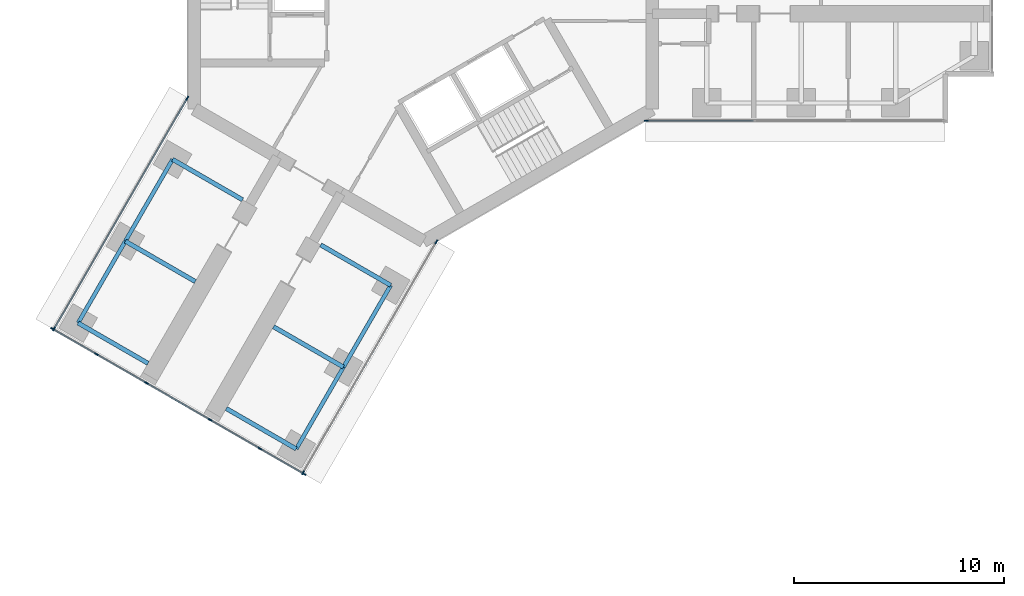
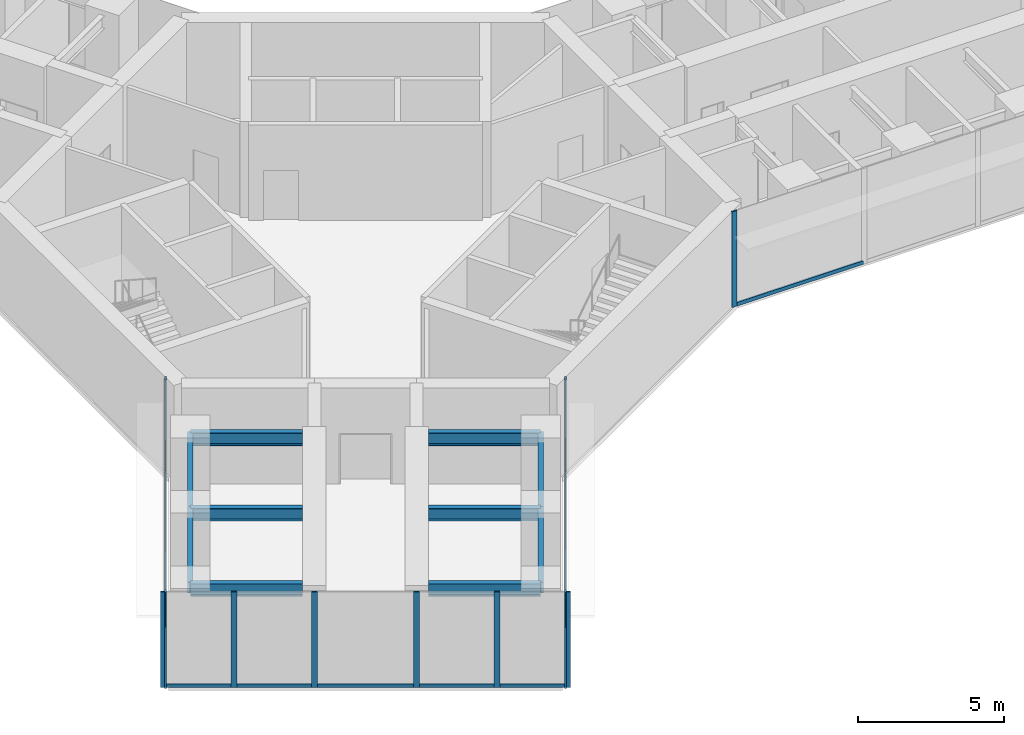
# One storey, part 2 of 21: 19 members, 10 beams, 4 elements without a shape of their own.
"""IFC4 building model written with IfcOpenShell, lengths in metres."""

from ifc_helpers import new_model, si_unit, direction, frame, origin, origin_2d, place, context, subcontext, project, spatial, rectangle, i_section, extrude, material, material_profile, profile_set, type_object, element, aggregate, save


model = new_model("IFC4")

# Units and contexts
model_context = context("Model", 3, precision=1e-05, world=origin(), true_north=direction((0.0, 1.0)))
body_context = subcontext(model_context, "Body", "Model", "MODEL_VIEW")
ifc_project = project(units=[si_unit("LENGTHUNIT", "METRE"), si_unit("AREAUNIT", "SQUARE_METRE"), si_unit("VOLUMEUNIT", "CUBIC_METRE"), si_unit("PLANEANGLEUNIT", "RADIAN"), si_unit("MASSUNIT", "GRAM", prefix="KILO")], contexts=[model_context])

# Site, building, storey
site_placement = place(None, origin())
site = spatial("IfcSite", under=ifc_project, at=site_placement, CompositionType="ELEMENT")
building_placement = place(site_placement, origin())
building = spatial("IfcBuilding", under=site, at=building_placement, Name="Upepo Twin Towers", CompositionType="ELEMENT")
storey_placement = place(building_placement, frame((0.0, 0.0, 113.5)))
storey = spatial("IfcBuildingStorey", under=building, at=storey_placement, Name="L27", CompositionType="ELEMENT", Elevation=113.5)

# Beams
ifc_material_1 = material(Name="Steel S355", Category="steel")
ifc_material_profile_1 = material_profile(ifc_material_1, i_section(OverallWidth=0.1904296875, OverallDepth=0.45703125, WebThickness=0.009033203125, FlangeThickness=0.014404296875, FilletRadius=0.01025390625, at=origin_2d()), Name="UB 457x191x74")
ifc_profile_set_1 = profile_set([ifc_material_profile_1], Name="Steel S355")
beam_type_1 = type_object("IfcBeamType", Name="Beam UB 457x191x74", PredefinedType="BEAM", material=ifc_profile_set_1)
beam_1_placement = place(storey_placement, frame((-1.553955078125, -14.69140625, 3.571533203125), z_axis=(-0.500013631625, -0.866017533419, 0.0), x_axis=(0.866017533419, -0.500013631625, 0.0)))
element("IfcBeam", 1, at=beam_1_placement, inside=storey, type_object=beam_type_1, Name="T1 edge beam CL 13.5-18.0", PredefinedType="BEAM", context=body_context, shape_type="SweptSolid", body=[
    extrude(i_section(OverallWidth=0.1904296875, OverallDepth=0.45703125, WebThickness=0.009033203125, FlangeThickness=0.014404296875, FilletRadius=0.01025390625, at=origin_2d()), origin(), (0.0, 0.0, 1.0), 4.499755859375),
])
beam_2_placement = place(storey_placement, frame((-3.803955078125, -18.58837890625, 3.571533203125), z_axis=(-0.499990139034, -0.866031096941, 0.0), x_axis=(0.866031096941, -0.499990139034, 0.0)))
element("IfcBeam", 2, at=beam_2_placement, inside=storey, type_object=beam_type_1, Name="T1 edge beam CL 18.0-22.5", PredefinedType="BEAM", context=body_context, shape_type="SweptSolid", body=[
    extrude(i_section(OverallWidth=0.1904296875, OverallDepth=0.45703125, WebThickness=0.009033203125, FlangeThickness=0.014404296875, FilletRadius=0.01025390625, at=origin_2d()), origin(), (0.0, 0.0, 1.0), 4.5),
])
beam_3_placement = place(storey_placement, frame((-11.946044921875, -8.69140625, 3.571533203125), z_axis=(-0.500013631625, -0.866017533419, 0.0), x_axis=(0.866017533419, -0.500013631625, 0.0)))
element("IfcBeam", 3, at=beam_3_placement, inside=storey, type_object=beam_type_1, Name="T1 edge beam CR 13.5-18.0", PredefinedType="BEAM", context=body_context, shape_type="SweptSolid", body=[
    extrude(i_section(OverallWidth=0.1904296875, OverallDepth=0.45703125, WebThickness=0.009033203125, FlangeThickness=0.014404296875, FilletRadius=0.01025390625, at=origin_2d()), origin(), (0.0, 0.0, 1.0), 4.499755859375),
])
beam_4_placement = place(storey_placement, frame((-14.196044921875, -12.58837890625, 3.571533203125), z_axis=(-0.499990139034, -0.866031096941, 0.0), x_axis=(0.866031096941, -0.499990139034, 0.0)))
element("IfcBeam", 4, at=beam_4_placement, inside=storey, type_object=beam_type_1, Name="T1 edge beam CR 18.0-22.5", PredefinedType="BEAM", context=body_context, shape_type="SweptSolid", body=[
    extrude(i_section(OverallWidth=0.1904296875, OverallDepth=0.45703125, WebThickness=0.009033203125, FlangeThickness=0.014404296875, FilletRadius=0.01025390625, at=origin_2d()), origin(), (0.0, 0.0, 1.0), 4.5),
])
ifc_material_2 = material(Name="Steel S355", Category="steel")
ifc_material_profile_2 = material_profile(ifc_material_2, i_section(OverallWidth=0.209228515625, OverallDepth=0.533203125, WebThickness=0.010009765625, FlangeThickness=0.015625, FilletRadius=0.0126953125, at=origin_2d()), Name="UB 533x210x92")
ifc_profile_set_2 = profile_set([ifc_material_profile_2], Name="Steel S355")
beam_type_2 = type_object("IfcBeamType", Name="Beam UB 533x210x92", PredefinedType="BEAM", material=ifc_profile_set_2)
beam_5_placement = place(storey_placement, frame((-1.553955078125, -14.69140625, 3.533447265625), z_axis=(-0.866006051527, 0.500033517596, 0.0), x_axis=(-0.500033517596, -0.866006051527, 0.0)))
element("IfcBeam", 5, at=beam_5_placement, inside=storey, type_object=beam_type_2, Name="T1 girder CL at 13.5", PredefinedType="BEAM", context=body_context, shape_type="SweptSolid", body=[
    extrude(i_section(OverallWidth=0.209228515625, OverallDepth=0.533203125, WebThickness=0.010009765625, FlangeThickness=0.015625, FilletRadius=0.0126953125, at=origin_2d()), origin(), (0.0, 0.0, 1.0), 3.849853515625),
])
beam_6_placement = place(storey_placement, frame((-3.803955078125, -18.58837890625, 3.533447265625), z_axis=(-0.866033512162, 0.499985955615, 0.0), x_axis=(-0.499985955615, -0.866033512162, 0.0)))
element("IfcBeam", 6, at=beam_6_placement, inside=storey, type_object=beam_type_2, Name="T1 girder CL at 18.0", PredefinedType="BEAM", context=body_context, shape_type="SweptSolid", body=[
    extrude(i_section(OverallWidth=0.209228515625, OverallDepth=0.533203125, WebThickness=0.010009765625, FlangeThickness=0.015625, FilletRadius=0.0126953125, at=origin_2d()), origin(), (0.0, 0.0, 1.0), 3.849609375),
])
for number, where, z_axis, x_axis, name in (
    (7, (-6.053955078125, -22.485595703125, 3.533447265625), (-0.866006051527, 0.500033517596, 0.0), (-0.500033517596, -0.866006051527, 0.0), "T1 girder CL at 22.5"),
    (8, (-11.946044921875, -8.69140625, 3.533447265625), (0.866006051527, -0.500033517596, 0.0), (0.500033517596, 0.866006051527, 0.0), "T1 girder CR at 13.5"),
    (9, (-14.196044921875, -12.58837890625, 3.533447265625), (0.866006051527, -0.500033517596, 0.0), (0.500033517596, 0.866006051527, 0.0), "T1 girder CR at 18.0"),
    (10, (-16.446044921875, -16.485595703125, 3.533447265625), (0.866006051527, -0.500033517596, 0.0), (0.500033517596, 0.866006051527, 0.0), "T1 girder CR at 22.5"),
):
    element("IfcBeam", number, at=place(storey_placement, frame(where, z_axis=z_axis, x_axis=x_axis)), inside=storey, type_object=beam_type_2, Name=name, PredefinedType="BEAM", context=body_context, shape_type="SweptSolid", body=[
        extrude(i_section(OverallWidth=0.209228515625, OverallDepth=0.533203125, WebThickness=0.010009765625, FlangeThickness=0.015625, FilletRadius=0.0126953125, at=origin_2d()), origin(), (0.0, 0.0, 1.0), 3.849853515625),
    ])

# Curtain wall, member
ifc_material_3 = material(Name="Aluminium and fritted glass", Category="aluminium")
curtain_wall_type = type_object("IfcCurtainWallType", Name="Tower curtain wall TW2, fritted glass", PredefinedType="NOTDEFINED", material=ifc_material_3)
curtain_wall_1_placement = place(storey_placement, origin())
curtain_wall_1 = element("IfcCurtainWall", 11, at=curtain_wall_1_placement, inside=storey, type_object=curtain_wall_type, Name="T1 L27 wing A flank R curtain wall", PredefinedType="NOTDEFINED")
ifc_material_4 = material(Name="Aluminium mullion", Category="aluminium")
ifc_material_profile_3 = material_profile(ifc_material_4, rectangle(XDim=0.06494140625, YDim=0.199951171875, at=origin_2d()), Name="MULLION 65x200")
ifc_profile_set_3 = profile_set([ifc_material_profile_3], Name="Aluminium mullion")
member_type_1 = type_object("IfcMemberType", Name="Mullion 65x200 TW2", PredefinedType="MULLION", material=ifc_profile_set_3)
member_1_placement = place(storey_placement, frame((10.61962890625, -6.85009765625, 0.0), z_axis=(0.0, 0.0, 1.0), x_axis=(0.0, -1.0, 0.0)))
member_1 = element("IfcMember", 12, at=member_1_placement, type_object=member_type_1, Name="T1 L27 wing A flank R curtain wall mullion 4", PredefinedType="MULLION", context=body_context, shape_type="SweptSolid", body=[
    extrude(rectangle(XDim=0.06494140625, YDim=0.199951171875, at=origin_2d()), origin(), (0.0, 0.0, 1.0), 4.0),
])

# Curtain wall, members
curtain_wall_2_placement = place(storey_placement, origin())
curtain_wall_2 = element("IfcCurtainWall", 13, at=curtain_wall_2_placement, inside=storey, type_object=curtain_wall_type, Name="T1 L27 wing C flank L curtain wall", PredefinedType="NOTDEFINED")
member_2_placement = place(storey_placement, frame((0.62255859375, -12.621826171875, 0.0), z_axis=(0.0, 0.0, 1.0), x_axis=(0.866025399212, -0.50000000792, 0.0)))
member_2 = element("IfcMember", 14, at=member_2_placement, type_object=member_type_1, Name="T1 L27 wing C flank L curtain wall mullion 1", PredefinedType="MULLION", context=body_context, shape_type="SweptSolid", body=[
    extrude(rectangle(XDim=0.06494140625, YDim=0.199951171875, at=origin_2d()), origin(), (0.0, 0.0, 1.0), 4.0),
])
member_3_placement = place(storey_placement, frame((-5.7265625, -23.61865234375, 0.0), z_axis=(0.0, 0.0, 1.0), x_axis=(0.866025399212, -0.50000000792, 0.0)))
member_3 = element("IfcMember", 15, at=member_3_placement, type_object=member_type_1, Name="T1 L27 wing C flank L curtain wall mullion 2", PredefinedType="MULLION", context=body_context, shape_type="SweptSolid", body=[
    extrude(rectangle(XDim=0.06494140625, YDim=0.199951171875, at=origin_2d()), origin(), (0.0, 0.0, 1.0), 4.0),
])

curtain_wall_3_placement = place(storey_placement, origin())
curtain_wall_3 = element("IfcCurtainWall", 16, at=curtain_wall_3_placement, inside=storey, type_object=curtain_wall_type, Name="T1 L27 wing C flank R curtain wall", PredefinedType="NOTDEFINED")
member_4_placement = place(storey_placement, frame((-17.591064453125, -16.7685546875, 0.0), z_axis=(0.0, 0.0, 1.0), x_axis=(-0.866025399212, 0.50000000792, 0.0)))
member_4 = element("IfcMember", 17, at=member_4_placement, type_object=member_type_1, Name="T1 L27 wing C flank R curtain wall mullion 1", PredefinedType="MULLION", context=body_context, shape_type="SweptSolid", body=[
    extrude(rectangle(XDim=0.06494140625, YDim=0.199951171875, at=origin_2d()), origin(), (0.0, 0.0, 1.0), 4.0),
])
member_5_placement = place(storey_placement, frame((-11.2421875, -5.77197265625, 0.0), z_axis=(0.0, 0.0, 1.0), x_axis=(-0.866025399212, 0.50000000792, 0.0)))
member_5 = element("IfcMember", 18, at=member_5_placement, type_object=member_type_1, Name="T1 L27 wing C flank R curtain wall mullion 2", PredefinedType="MULLION", context=body_context, shape_type="SweptSolid", body=[
    extrude(rectangle(XDim=0.06494140625, YDim=0.199951171875, at=origin_2d()), origin(), (0.0, 0.0, 1.0), 4.0),
])

curtain_wall_4_placement = place(storey_placement, origin())
curtain_wall_4 = element("IfcCurtainWall", 19, at=curtain_wall_4_placement, inside=storey, type_object=curtain_wall_type, Name="T1 L27 wing C nose curtain wall", PredefinedType="NOTDEFINED")
member_6_placement = place(storey_placement, frame((-17.665771484375, -16.762939453125, 0.0), z_axis=(0.0, 0.0, 1.0), x_axis=(0.499999972355, 0.866025419745, 0.0)))
member_6 = element("IfcMember", 20, at=member_6_placement, type_object=member_type_1, Name="T1 L27 wing C nose curtain wall mullion 1", PredefinedType="MULLION", context=body_context, shape_type="SweptSolid", body=[
    extrude(rectangle(XDim=0.06494140625, YDim=0.199951171875, at=origin_2d()), origin(), (0.0, 0.0, 1.0), 4.0),
])
member_7_placement = place(storey_placement, frame((-15.572021484375, -17.9716796875, 0.0), z_axis=(0.0, 0.0, 1.0), x_axis=(0.499999972355, 0.866025419745, 0.0)))
member_7 = element("IfcMember", 21, at=member_7_placement, type_object=member_type_1, Name="T1 L27 wing C nose curtain wall mullion 2", PredefinedType="MULLION", context=body_context, shape_type="SweptSolid", body=[
    extrude(rectangle(XDim=0.06494140625, YDim=0.199951171875, at=origin_2d()), origin(), (0.0, 0.0, 1.0), 4.0),
])
member_8_placement = place(storey_placement, frame((-13.1904296875, -19.3466796875, 0.0), z_axis=(0.0, 0.0, 1.0), x_axis=(0.499999972355, 0.866025419745, 0.0)))
member_8 = element("IfcMember", 22, at=member_8_placement, type_object=member_type_1, Name="T1 L27 wing C nose curtain wall mullion 3", PredefinedType="MULLION", context=body_context, shape_type="SweptSolid", body=[
    extrude(rectangle(XDim=0.06494140625, YDim=0.199951171875, at=origin_2d()), origin(), (0.0, 0.0, 1.0), 4.0),
])
member_9_placement = place(storey_placement, frame((-10.159423828125, -21.0966796875, 0.0), z_axis=(0.0, 0.0, 1.0), x_axis=(0.499999972355, 0.866025419745, 0.0)))
member_9 = element("IfcMember", 23, at=member_9_placement, type_object=member_type_1, Name="T1 L27 wing C nose curtain wall mullion 4", PredefinedType="MULLION", context=body_context, shape_type="SweptSolid", body=[
    extrude(rectangle(XDim=0.06494140625, YDim=0.199951171875, at=origin_2d()), origin(), (0.0, 0.0, 1.0), 4.0),
])
member_10_placement = place(storey_placement, frame((-7.77783203125, -22.4716796875, 0.0), z_axis=(0.0, 0.0, 1.0), x_axis=(0.499999972355, 0.866025419745, 0.0)))
member_10 = element("IfcMember", 24, at=member_10_placement, type_object=member_type_1, Name="T1 L27 wing C nose curtain wall mullion 5", PredefinedType="MULLION", context=body_context, shape_type="SweptSolid", body=[
    extrude(rectangle(XDim=0.06494140625, YDim=0.199951171875, at=origin_2d()), origin(), (0.0, 0.0, 1.0), 4.0),
])
member_11_placement = place(storey_placement, frame((-5.684326171875, -23.680419921875, 0.0), z_axis=(0.0, 0.0, 1.0), x_axis=(0.499999972355, 0.866025419745, 0.0)))
member_11 = element("IfcMember", 25, at=member_11_placement, type_object=member_type_1, Name="T1 L27 wing C nose curtain wall mullion 6", PredefinedType="MULLION", context=body_context, shape_type="SweptSolid", body=[
    extrude(rectangle(XDim=0.06494140625, YDim=0.199951171875, at=origin_2d()), origin(), (0.0, 0.0, 1.0), 4.0),
])

# Member
ifc_material_5 = material(Name="Aluminium transom", Category="aluminium")
ifc_material_profile_4 = material_profile(ifc_material_5, rectangle(XDim=0.06494140625, YDim=0.14990234375, at=origin_2d()), Name="TRANSOM 65x150")
ifc_profile_set_4 = profile_set([ifc_material_profile_4], Name="Aluminium transom")
member_type_2 = type_object("IfcMemberType", Name="Transom 65x150 TW2", PredefinedType="USERDEFINED", material=ifc_profile_set_4)
member_12_placement = place(storey_placement, frame((15.717529296875, -6.85009765625, 0.074951171875), z_axis=(-1.0, 0.0, 0.0), x_axis=(0.0, -1.0, 0.0)))
member_12 = element("IfcMember", 26, at=member_12_placement, type_object=member_type_2, Name="T1 L27 wing A flank R curtain wall transom 3", ObjectType="TRANSOM", PredefinedType="USERDEFINED", context=body_context, shape_type="SweptSolid", body=[
    extrude(rectangle(XDim=0.06494140625, YDim=0.14990234375, at=origin_2d()), origin(), (0.0, 0.0, 1.0), 5.0654296875),
])

aggregate(curtain_wall_1, [member_1, member_12])

member_13_placement = place(storey_placement, frame((0.606201171875, -12.64990234375, 0.074951171875), z_axis=(-0.499996807431, -0.866027247007, 0.0), x_axis=(0.866027247007, -0.499996807431, 0.0)))
member_13 = element("IfcMember", 27, at=member_13_placement, type_object=member_type_2, Name="T1 L27 wing C flank L curtain wall transom 1", ObjectType="TRANSOM", PredefinedType="USERDEFINED", context=body_context, shape_type="SweptSolid", body=[
    extrude(rectangle(XDim=0.06494140625, YDim=0.14990234375, at=origin_2d()), origin(), (0.0, 0.0, 1.0), 12.6328125),
])

aggregate(curtain_wall_2, [member_2, member_3, member_13])

member_14_placement = place(storey_placement, frame((-17.57470703125, -16.740478515625, 0.074951171875), z_axis=(0.499996807431, 0.866027247007, 0.0), x_axis=(-0.866027247007, 0.499996807431, 0.0)))
member_14 = element("IfcMember", 28, at=member_14_placement, type_object=member_type_2, Name="T1 L27 wing C flank R curtain wall transom 1", ObjectType="TRANSOM", PredefinedType="USERDEFINED", context=body_context, shape_type="SweptSolid", body=[
    extrude(rectangle(XDim=0.06494140625, YDim=0.14990234375, at=origin_2d()), origin(), (0.0, 0.0, 1.0), 12.6328125),
])

aggregate(curtain_wall_3, [member_4, member_5, member_14])

member_15_placement = place(storey_placement, frame((-17.6376953125, -16.779296875, 0.074951171875), z_axis=(0.866069800327, -0.499923095048, 0.0), x_axis=(0.499923095048, 0.866069800327, 0.0)))
member_15 = element("IfcMember", 29, at=member_15_placement, type_object=member_type_2, Name="T1 L27 wing C nose curtain wall transom 1", ObjectType="TRANSOM", PredefinedType="USERDEFINED", context=body_context, shape_type="SweptSolid", body=[
    extrude(rectangle(XDim=0.06494140625, YDim=0.14990234375, at=origin_2d()), origin(), (0.0, 0.0, 1.0), 2.352294921875),
])

member_16_placement = place(storey_placement, frame((-15.5439453125, -17.988037109375, 0.074951171875), z_axis=(0.8660523339, -0.49995335277, 0.0), x_axis=(0.49995335277, 0.8660523339, 0.0)))
member_16 = element("IfcMember", 30, at=member_16_placement, type_object=member_type_2, Name="T1 L27 wing C nose curtain wall transom 2", ObjectType="TRANSOM", PredefinedType="USERDEFINED", context=body_context, shape_type="SweptSolid", body=[
    extrude(rectangle(XDim=0.06494140625, YDim=0.14990234375, at=origin_2d()), origin(), (0.0, 0.0, 1.0), 2.684814453125),
])

member_17_placement = place(storey_placement, frame((-13.162353515625, -19.363037109375, 0.074951171875), z_axis=(0.866056579774, -0.499945997713, 0.0), x_axis=(0.499945997713, 0.866056579774, 0.0)))
member_17 = element("IfcMember", 31, at=member_17_placement, type_object=member_type_2, Name="T1 L27 wing C nose curtain wall transom 3", ObjectType="TRANSOM", PredefinedType="USERDEFINED", context=body_context, shape_type="SweptSolid", body=[
    extrude(rectangle(XDim=0.06494140625, YDim=0.14990234375, at=origin_2d()), origin(), (0.0, 0.0, 1.0), 3.43505859375),
])

member_18_placement = place(storey_placement, frame((-10.13134765625, -21.113037109375, 0.074951171875), z_axis=(0.8660523339, -0.49995335277, 0.0), x_axis=(0.49995335277, 0.8660523339, 0.0)))
member_18 = element("IfcMember", 32, at=member_18_placement, type_object=member_type_2, Name="T1 L27 wing C nose curtain wall transom 4", ObjectType="TRANSOM", PredefinedType="USERDEFINED", context=body_context, shape_type="SweptSolid", body=[
    extrude(rectangle(XDim=0.06494140625, YDim=0.14990234375, at=origin_2d()), origin(), (0.0, 0.0, 1.0), 2.684814453125),
])

member_19_placement = place(storey_placement, frame((-7.749755859375, -22.488037109375, 0.074951171875), z_axis=(0.866024864377, -0.50000093428, 0.0), x_axis=(0.50000093428, 0.866024864377, 0.0)))
member_19 = element("IfcMember", 33, at=member_19_placement, type_object=member_type_2, Name="T1 L27 wing C nose curtain wall transom 5", ObjectType="TRANSOM", PredefinedType="USERDEFINED", context=body_context, shape_type="SweptSolid", body=[
    extrude(rectangle(XDim=0.06494140625, YDim=0.14990234375, at=origin_2d()), origin(), (0.0, 0.0, 1.0), 2.3525390625),
])

aggregate(curtain_wall_4, [member_6, member_7, member_8, member_9, member_10, member_11, member_15, member_16, member_17, member_18, member_19])

save(model, "model.ifc")
